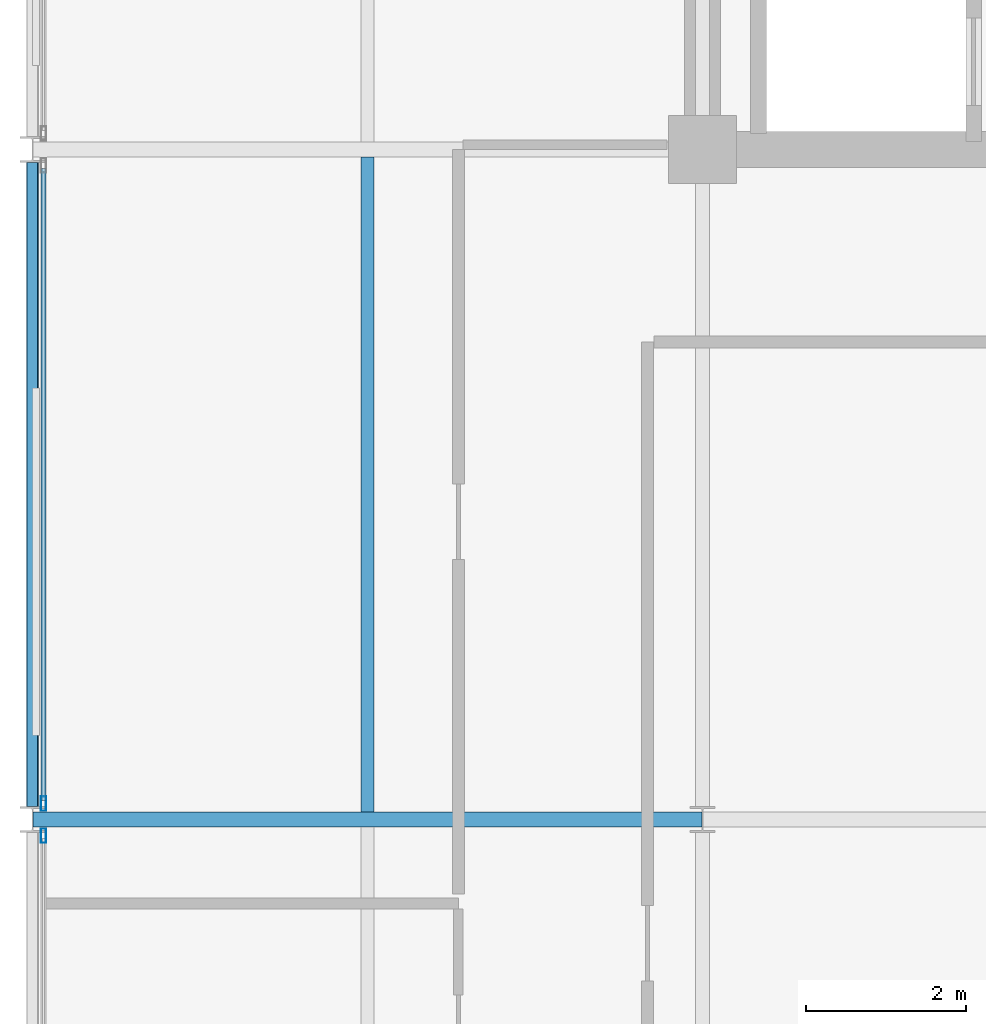
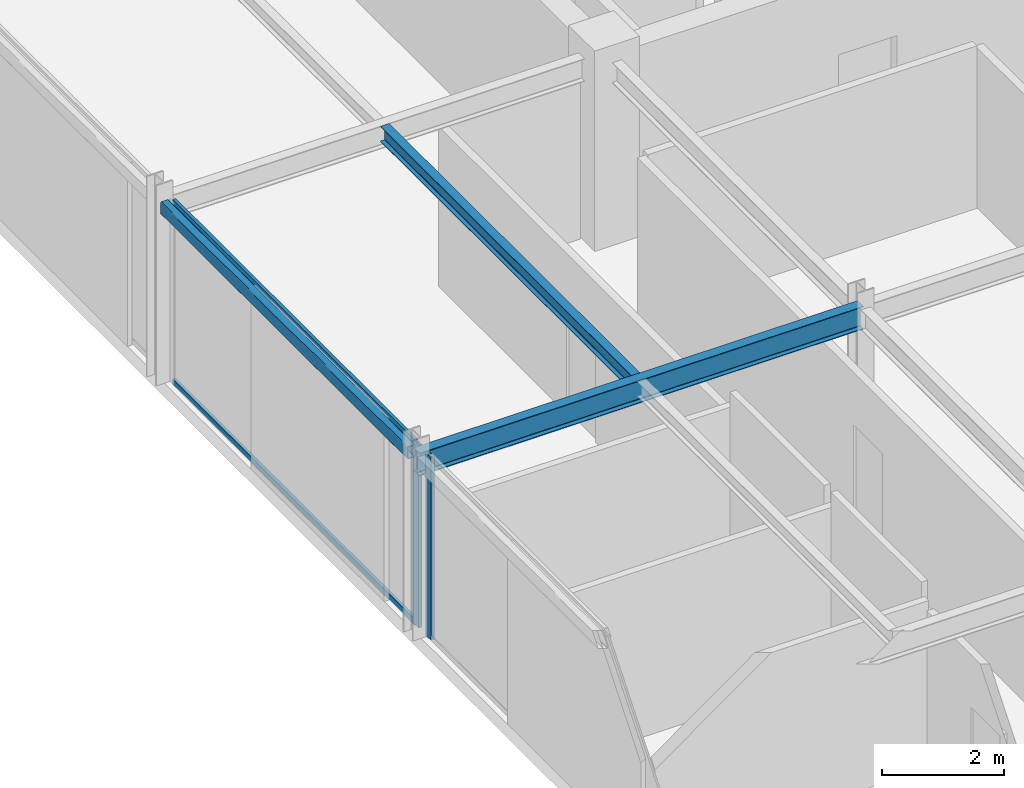
# One storey, part 9 of 26: 4 members, 3 beams, 2 elements without a shape of their own.
"""IFC4 building model written with IfcOpenShell, lengths in metres."""

from ifc_helpers import new_model, si_unit, direction, frame, origin, origin_2d, place, context, subcontext, project, spatial, hollow_rectangle, i_section, extrude, material, layer, layer_set, material_profile, profile_set, type_object, element, aggregate, save


model = new_model("IFC4")

# Units and contexts
model_context = context("Model", 3, precision=1e-05, world=origin(), true_north=direction((0.0, 1.0)))
body_context = subcontext(model_context, "Body", "Model", "MODEL_VIEW")
ifc_project = project(units=[si_unit("LENGTHUNIT", "METRE"), si_unit("AREAUNIT", "SQUARE_METRE"), si_unit("VOLUMEUNIT", "CUBIC_METRE"), si_unit("PLANEANGLEUNIT", "RADIAN"), si_unit("MASSUNIT", "GRAM", prefix="KILO")], contexts=[model_context])

# Site, building, storey
site_placement = place(None, origin())
site = spatial("IfcSite", under=ifc_project, at=site_placement, CompositionType="ELEMENT")
building_placement = place(site_placement, origin())
building = spatial("IfcBuilding", under=site, at=building_placement, Name="Nerrivon Quay Data Exchange", CompositionType="ELEMENT")
storey_placement = place(building_placement, frame((0.0, 0.0, 282.199951171875)))
storey = spatial("IfcBuildingStorey", under=building, at=storey_placement, Name="L67", CompositionType="ELEMENT", Elevation=282.199951171875)

# Beams
ifc_material_1 = material(Name="Steel Grade 350", Category="steel")
ifc_material_profile_1 = material_profile(ifc_material_1, i_section(OverallWidth=0.18994140625, OverallDepth=0.4541015625, WebThickness=0.008544921875, FlangeThickness=0.0126953125, FilletRadius=0.011474609375, at=origin_2d()), Name="460UB67.1")
ifc_profile_set_1 = profile_set([ifc_material_profile_1], Name="Steel Grade 350")
beam_type_1 = type_object("IfcBeamType", Name="BM-G6-460UB67", PredefinedType="BEAM", material=ifc_profile_set_1)
beam_1_placement = place(storey_placement, frame((0.0078125, 16.800048828125, 3.423095703125), z_axis=(1.0, 0.0, 0.0), x_axis=(0.0, 1.0, 0.0)))
element("IfcBeam", 1, at=beam_1_placement, inside=storey, type_object=beam_type_1, Name="L67 EW Girder Y=16.8 (0.0..8.4)", PredefinedType="BEAM", context=body_context, shape_type="SweptSolid", body=[
    extrude(i_section(OverallWidth=0.18994140625, OverallDepth=0.4541015625, WebThickness=0.008544921875, FlangeThickness=0.0126953125, FilletRadius=0.011474609375, at=origin_2d()), origin(), (0.0, 0.0, 1.0), 8.38427734375),
])
ifc_material_profile_2 = material_profile(ifc_material_1, i_section(OverallWidth=0.1650390625, OverallDepth=0.303955078125, WebThickness=0.006103515625, FlangeThickness=0.01025390625, FilletRadius=0.011474609375, at=origin_2d()), Name="310UB40.4")
ifc_profile_set_2 = profile_set([ifc_material_profile_2], Name="Steel Grade 350")
beam_type_2 = type_object("IfcBeamType", Name="BM-J6-310UB40", PredefinedType="JOIST", material=ifc_profile_set_2)
beam_2_placement = place(storey_placement, frame((4.199951171875, 16.89501953125, 3.498046875), z_axis=(0.0, 1.0, 0.0), x_axis=(-1.0, 0.0, 0.0)))
element("IfcBeam", 2, at=beam_2_placement, inside=storey, type_object=beam_type_2, Name="L67 Secondary Joist X=4.2 (16.8..25.2)", PredefinedType="JOIST", context=body_context, shape_type="SweptSolid", body=[
    extrude(i_section(OverallWidth=0.1650390625, OverallDepth=0.303955078125, WebThickness=0.006103515625, FlangeThickness=0.01025390625, FilletRadius=0.011474609375, at=origin_2d()), origin(), (0.0, 0.0, 1.0), 8.2099609375),
])
ifc_material_2 = material(Name="Steel Grade C350L0 (350 MPa)", Category="steel")
ifc_material_profile_3 = material_profile(ifc_material_2, hollow_rectangle(XDim=0.14990234375, YDim=0.25, WallThickness=0.009033203125, InnerFilletRadius=0.013427734375, OuterFilletRadius=0.0224609375, at=origin_2d()), Name="250x150x9.0RHS")
ifc_profile_set_3 = profile_set([ifc_material_profile_3], Name="Steel Grade C350L0 (350 MPa)")
beam_type_3 = type_object("IfcBeamType", Name="BM-SP4-250x150RHS", PredefinedType="SPANDREL", material=ifc_profile_set_3)
beam_3_placement = place(storey_placement, frame((0.0, 16.96337890625, 3.525146484375), z_axis=(0.0, 1.0, 0.0), x_axis=(-1.0, 0.0, 0.0)))
element("IfcBeam", 3, at=beam_3_placement, inside=storey, type_object=beam_type_3, Name="L67 NS Girder X=0.0 (16.8..25.2)", PredefinedType="SPANDREL", context=body_context, shape_type="SweptSolid", body=[
    extrude(hollow_rectangle(XDim=0.14990234375, YDim=0.25, WallThickness=0.009033203125, InnerFilletRadius=0.013427734375, OuterFilletRadius=0.0224609375, at=origin_2d()), origin(), (0.0, 0.0, 1.0), 8.0732421875),
])

# Curtain wall, member
ifc_material_3 = material(Name="Anodised aluminium 6063-T6", Category="aluminium")
ifc_layer = layer(ifc_material_3, 0.195068359375)
ifc_layer_set = layer_set([ifc_layer], Name="Anodised aluminium 6063-T6")
curtain_wall_type = type_object("IfcCurtainWallType", Name="CW-SYS-06", PredefinedType="NOTDEFINED", material=ifc_layer_set)
curtain_wall_1_placement = place(storey_placement, origin())
curtain_wall_1 = element("IfcCurtainWall", 4, at=curtain_wall_1_placement, inside=storey, type_object=curtain_wall_type, Name="L67 Unitised Curtain Wall 12", PredefinedType="NOTDEFINED")
ifc_material_profile_4 = material_profile(ifc_material_3, hollow_rectangle(XDim=0.06494140625, YDim=0.179931640625, WallThickness=0.00341796875, at=origin_2d()), Name="ALU-MULL-180x65")
ifc_profile_set_4 = profile_set([ifc_material_profile_4], Name="Anodised aluminium 6063-T6")
member_type_1 = type_object("IfcMemberType", Name="CWM-180x65", PredefinedType="MULLION", material=ifc_profile_set_4)
member_1_placement = place(storey_placement, frame((0.139892578125, 16.59912109375, 0.0), z_axis=(0.0, 0.0, 1.0), x_axis=(-1.0, 0.0, 0.0)))
member_1 = element("IfcMember", 5, at=member_1_placement, type_object=member_type_1, Name="CW06 mullion 2", PredefinedType="MULLION", context=body_context, shape_type="SweptSolid", body=[
    extrude(hollow_rectangle(XDim=0.06494140625, YDim=0.179931640625, WallThickness=0.00341796875, at=origin_2d()), origin(), (0.0, 0.0, 1.0), 3.650146484375),
])
aggregate(curtain_wall_1, [member_1])

# Curtain wall, members
curtain_wall_2_placement = place(storey_placement, origin())
curtain_wall_2 = element("IfcCurtainWall", 6, at=curtain_wall_2_placement, inside=storey, type_object=curtain_wall_type, Name="L67 Unitised Curtain Wall 13", PredefinedType="NOTDEFINED")
member_2_placement = place(storey_placement, frame((0.139892578125, 17.0009765625, 0.0), z_axis=(0.0, 0.0, 1.0), x_axis=(-1.0, 0.0, 0.0)))
member_2 = element("IfcMember", 7, at=member_2_placement, type_object=member_type_1, Name="CW06 mullion 1", PredefinedType="MULLION", context=body_context, shape_type="SweptSolid", body=[
    extrude(hollow_rectangle(XDim=0.06494140625, YDim=0.179931640625, WallThickness=0.00341796875, at=origin_2d()), origin(), (0.0, 0.0, 1.0), 3.650146484375),
])
ifc_material_profile_5 = material_profile(ifc_material_3, hollow_rectangle(XDim=0.06005859375, YDim=0.1201171875, WallThickness=0.003173828125, at=origin_2d()), Name="ALU-TRAN-120x60")
ifc_profile_set_5 = profile_set([ifc_material_profile_5], Name="Anodised aluminium 6063-T6")
member_type_2 = type_object("IfcMemberType", Name="CWT-120x60", PredefinedType="USERDEFINED", material=ifc_profile_set_5)
member_3_placement = place(storey_placement, frame((0.139892578125, 17.03857421875, 0.032470703125), z_axis=(0.0, 1.0, 0.0), x_axis=(-1.0, 0.0, 0.0)))
member_3 = element("IfcMember", 8, at=member_3_placement, type_object=member_type_2, Name="CW06 transom 1.1", ObjectType="TRANSOM", PredefinedType="USERDEFINED", context=body_context, shape_type="SweptSolid", body=[
    extrude(hollow_rectangle(XDim=0.06005859375, YDim=0.1201171875, WallThickness=0.003173828125, at=origin_2d()), origin(), (0.0, 0.0, 1.0), 7.9228515625),
])
member_4_placement = place(storey_placement, frame((0.139892578125, 17.03857421875, 3.617431640625), z_axis=(0.0, 1.0, 0.0), x_axis=(-1.0, 0.0, 0.0)))
member_4 = element("IfcMember", 9, at=member_4_placement, type_object=member_type_2, Name="CW06 transom 1.2", ObjectType="TRANSOM", PredefinedType="USERDEFINED", context=body_context, shape_type="SweptSolid", body=[
    extrude(hollow_rectangle(XDim=0.06005859375, YDim=0.1201171875, WallThickness=0.003173828125, at=origin_2d()), origin(), (0.0, 0.0, 1.0), 7.9228515625),
])
aggregate(curtain_wall_2, [member_2, member_3, member_4])

save(model, "model.ifc")
